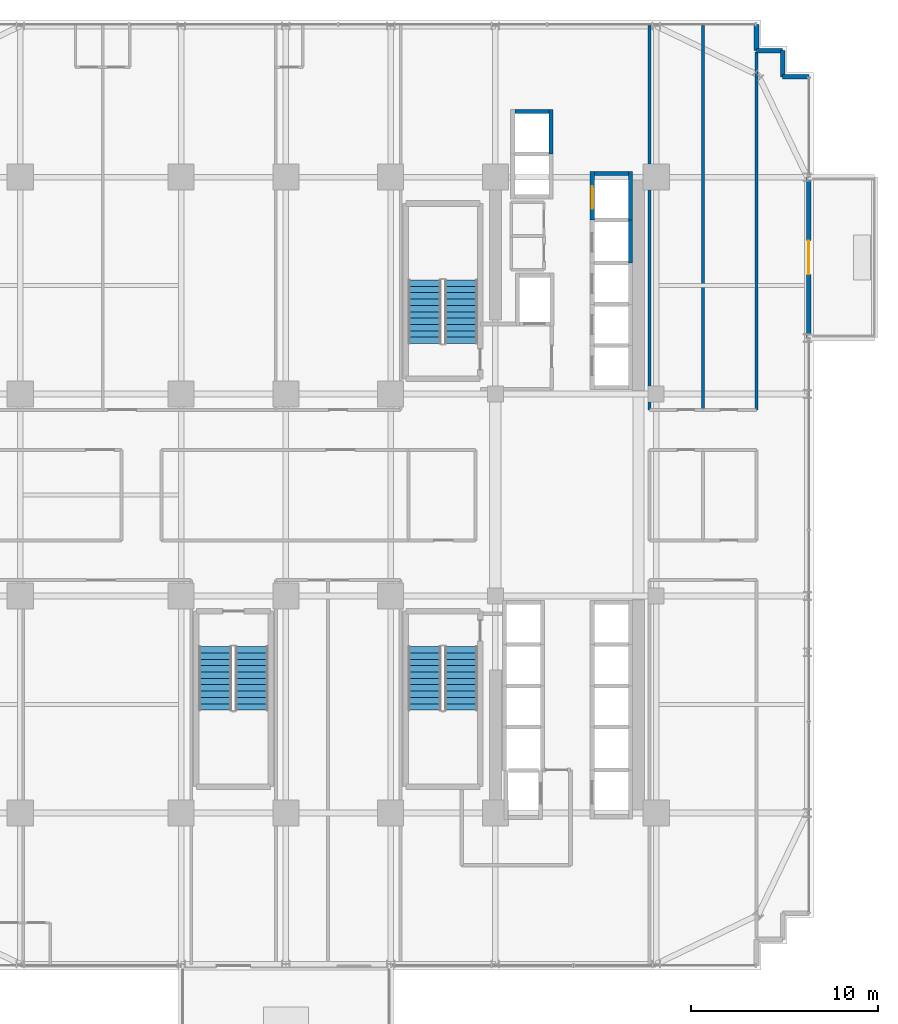
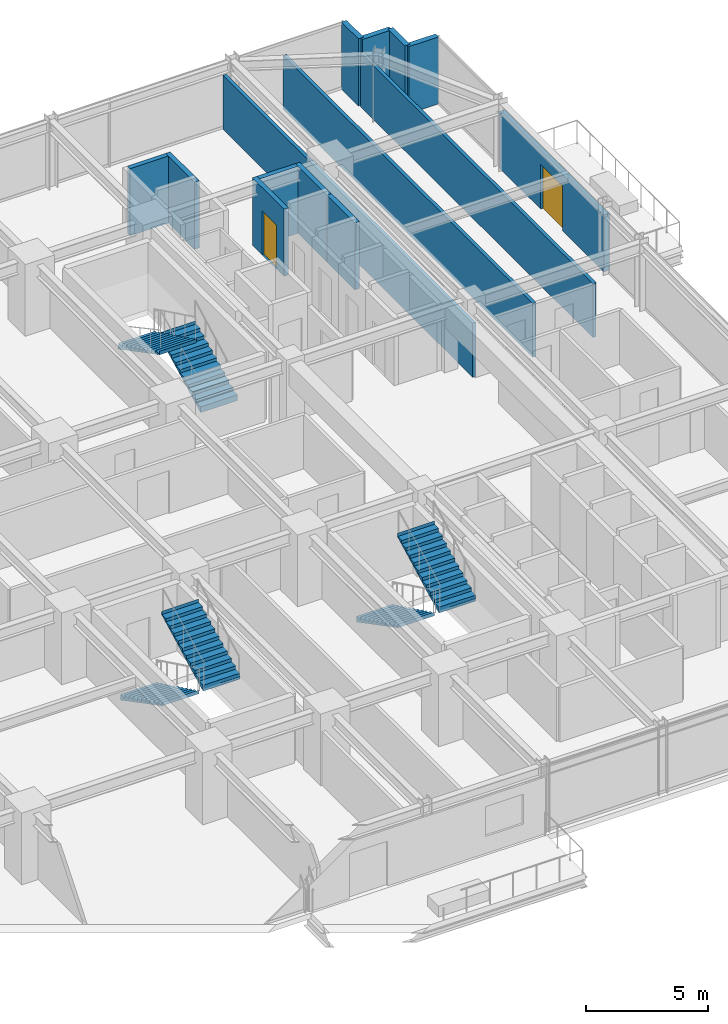
# One storey, part 33 of 36: 14 walls, 6 stair flights, 2 doors, 2 openings, 3 elements without a shape of their own.
"""IFC4 building model written with IfcOpenShell, lengths in metres."""

from ifc_helpers import new_model, si_unit, direction, frame, frame_2d, origin, place, context, subcontext, project, spatial, polyline, rectangle, outline, extrude, source, transform, mapped, material, layer, layer_set, type_object, element, fill, aggregate, save


model = new_model("IFC4")

# Units and contexts
model_context = context("Model", 3, precision=1e-05, world=origin(), true_north=direction((0.0, 1.0)))
body_context = subcontext(model_context, "Body", "Model", "MODEL_VIEW")
ifc_project = project(units=[si_unit("LENGTHUNIT", "METRE"), si_unit("AREAUNIT", "SQUARE_METRE"), si_unit("VOLUMEUNIT", "CUBIC_METRE"), si_unit("PLANEANGLEUNIT", "RADIAN"), si_unit("MASSUNIT", "GRAM", prefix="KILO")], contexts=[model_context])

# Site, building, storey
site_placement = place(None, origin())
site = spatial("IfcSite", under=ifc_project, at=site_placement, CompositionType="ELEMENT")
building_placement = place(site_placement, origin())
building = spatial("IfcBuilding", under=site, at=building_placement, Name="Nahalor Promenade Grand Hotel", CompositionType="ELEMENT")
storey_placement = place(building_placement, frame((0.0, 0.0, 72.550048828125)))
storey = spatial("IfcBuildingStorey", under=building, at=storey_placement, Name="L17", CompositionType="ELEMENT", Elevation=72.550048828125)

# Walls
ifc_material_1 = material(Name="Concrete B-50 (C40/50)", Category="concrete")
ifc_layer_1 = layer(ifc_material_1, 0.219970703125)
ifc_layer_set_1 = layer_set([ifc_layer_1], Name="Concrete B-50 (C40/50)")
wall_type_1 = type_object("IfcWallType", Name="Wall-LiftShaft-220", PredefinedType="SHEAR", material=ifc_layer_set_1)
shared_shape_1 = source(origin(), body_context, "Body", "SweptSolid", [
    extrude(rectangle(XDim=1.820068359375, YDim=0.219970703125, at=frame_2d((0.91015625, 0.0))), origin(), (0.0, 0.0, 1.0), 3.369873046875),
])
for number, where, z_axis, x_axis, name in (
    (1, (9.43994140625, 20.5, 0.0), (0.0, 0.0, 1.0), (1.0, 0.0, 0.0), "L17 Lift OB2 Hoistway Wall N"),
    (2, (13.68994140625, 17.199951171875, 0.0), (0.0, 0.0, 1.0), (1.0, 0.0, 0.0), "L17 Lift SV1 Hoistway Wall N"),
):
    element("IfcWall", number, at=place(storey_placement, frame(where, z_axis=z_axis, x_axis=x_axis)), inside=storey, type_object=wall_type_1, Name=name, PredefinedType="SHEAR", context=body_context, shape_type="MappedRepresentation", body=[
        mapped(shared_shape_1, transform((0.0, 0.0, 0.0), scale=1.0)),
    ])
shared_shape_2 = source(origin(), body_context, "Body", "SweptSolid", [
    extrude(rectangle(XDim=2.300048828125, YDim=0.219970703125, at=frame_2d((1.14990234375, 0.0))), origin(), (0.0, 0.0, 1.0), 3.369873046875),
])
wall_1_placement = place(storey_placement, frame((15.6201171875, 12.39990234375, 0.0), z_axis=(0.0, 0.0, 1.0), x_axis=(0.0, 1.0, 0.0)))
element("IfcWall", 3, at=wall_1_placement, inside=storey, type_object=wall_type_1, Name="L17 Lift PL4 Hoistway Wall E", PredefinedType="SHEAR", context=body_context, shape_type="MappedRepresentation", body=[
    mapped(shared_shape_2, transform((0.0, 0.0, 0.0), scale=1.0)),
])
shared_shape_3 = source(origin(), body_context, "Body", "SweptSolid", [
    extrude(rectangle(XDim=2.385009765625, YDim=0.219970703125, at=frame_2d((1.1923828125, 0.0))), origin(), (0.0, 0.0, 1.0), 3.369873046875),
])
wall_2_placement = place(storey_placement, frame((11.3701171875, 18.22509765625, 0.0), z_axis=(0.0, 0.0, 1.0), x_axis=(0.0, 1.0, 0.0)))
element("IfcWall", 4, at=wall_2_placement, inside=storey, type_object=wall_type_1, Name="L17 Lift OB2 Hoistway Wall E", PredefinedType="SHEAR", context=body_context, shape_type="MappedRepresentation", body=[
    mapped(shared_shape_3, transform((0.0, 0.0, 0.0), scale=1.0)),
])

# Wall, opening, door
shared_shape_4 = source(origin(), body_context, "Body", "SweptSolid", [
    extrude(rectangle(XDim=2.610107421875, YDim=0.219970703125, at=frame_2d((1.30517578125, 0.0))), origin(), (0.0, 0.0, 1.0), 3.369873046875),
])
wall_3_placement = place(storey_placement, frame((13.580078125, 14.699951171875, 0.0), z_axis=(0.0, 0.0, 1.0), x_axis=(0.0, 1.0, 0.0)))
wall_3 = element("IfcWall", 5, at=wall_3_placement, inside=storey, type_object=wall_type_1, Name="L17 Lift SV1 Hoistway Wall W", PredefinedType="SHEAR", context=body_context, shape_type="MappedRepresentation", body=[
    mapped(shared_shape_4, transform((0.0, 0.0, 0.0), scale=1.0)),
])
opening_1_placement = place(wall_3_placement, frame((0.60009765625, 0.0, 0.0)))
opening_1 = element("IfcOpeningElement", 6, at=opening_1_placement, cuts=wall_3, Name="Opening LD-03", PredefinedType="OPENING", context=body_context, shape_type="SweptSolid", body=[
    extrude(rectangle(XDim=1.199951171875, YDim=2.199951171875, at=frame_2d((0.60009765625, 1.10009765625))), frame((0.0, 0.119873046875, 0.0), z_axis=(0.0, -1.0, 0.0), x_axis=(1.0, 0.0, 0.0)), (0.0, 0.0, 1.0), 0.239990234375),
])
ifc_material_2 = material(Name="Steel S355JR", Category="steel")
door_type_1 = type_object("IfcDoorType", Name="Door-LiftService-1200", OperationType="DOUBLE_DOOR_SLIDING", PredefinedType="DOOR", material=ifc_material_2)
shared_shape_5 = source(origin(), body_context, "Body", "SweptSolid", [
    extrude(rectangle(XDim=1.199951171875, YDim=2.199951171875, at=frame_2d((0.60009765625, 1.10009765625))), frame((0.0, 0.02490234375, 0.0), z_axis=(0.0, -1.0, 0.0), x_axis=(1.0, 0.0, 0.0)), (0.0, 0.0, 1.0), 0.050048828125),
])
door_1_placement = place(opening_1_placement, origin())
door_1 = element("IfcDoor", 7, at=door_1_placement, inside=storey, type_object=door_type_1, Name="DR-LIFT-SV1-L17", OperationType="DOUBLE_DOOR_SLIDING", OverallHeight=2.199951171875, OverallWidth=1.199951171875, PredefinedType="DOOR", context=body_context, shape_type="MappedRepresentation", body=[
    mapped(shared_shape_5, transform((0.0, 0.0, 0.0), scale=1.0)),
])
fill(opening_1, door_1)

# Walls
wall_4_placement = place(storey_placement, frame((15.6201171875, 14.699951171875, 0.0), z_axis=(0.0, 0.0, 1.0), x_axis=(0.0, 1.0, 0.0)))
element("IfcWall", 8, at=wall_4_placement, inside=storey, type_object=wall_type_1, Name="L17 Lift SV1 Hoistway Wall E", PredefinedType="SHEAR", context=body_context, shape_type="MappedRepresentation", body=[
    mapped(shared_shape_4, transform((0.0, 0.0, 0.0), scale=1.0)),
])
ifc_material_3 = material(Name="Concrete B-40 (C32/40)", Category="concrete")
ifc_layer_2 = layer(ifc_material_3, 0.25)
ifc_layer_set_2 = layer_set([ifc_layer_2], Name="Concrete B-40 (C32/40)")
wall_type_2 = type_object("IfcWallType", Name="Wall-BronzePier-250", PredefinedType="STANDARD", material=ifc_layer_set_2)
shared_shape_6 = source(origin(), body_context, "Body", "SweptSolid", [
    extrude(rectangle(XDim=1.39990234375, YDim=0.25, at=frame_2d((0.699951171875, 0.0))), origin(), (0.0, 0.0, 1.0), 3.369873046875),
])
for number, where, z_axis, x_axis, name in (
    (9, (23.760009765625, 22.360107421875, 0.0), (0.0, 0.0, 1.0), (1.0, 0.0, 0.0), "W-L17-SR-05"),
    (10, (23.760009765625, 22.360107421875, 0.0), (0.0, 0.0, 1.0), (0.0, 1.0, 0.0), "W-L17-SR-06"),
    (11, (22.360107421875, 23.760009765625, 0.0), (0.0, 0.0, 1.0), (1.0, 0.0, 0.0), "W-L17-SR-07"),
    (12, (22.360107421875, 23.760009765625, 0.0), (0.0, 0.0, 1.0), (0.0, 1.0, 0.0), "W-L17-SR-08"),
):
    element("IfcWall", number, at=place(storey_placement, frame(where, z_axis=z_axis, x_axis=x_axis)), inside=storey, type_object=wall_type_2, Name=name, PredefinedType="STANDARD", context=body_context, shape_type="MappedRepresentation", body=[
        mapped(shared_shape_6, transform((0.0, 0.0, 0.0), scale=1.0)),
    ])

# Wall, opening, door
ifc_layer_3 = layer(ifc_material_3, 0.260009765625)
ifc_layer_set_3 = layer_set([ifc_layer_3], Name="Concrete B-40 (C32/40)")
wall_type_3 = type_object("IfcWallType", Name="Wall-BalconyWall-260", PredefinedType="STANDARD", material=ifc_layer_set_3)
shared_shape_7 = source(origin(), body_context, "Body", "SweptSolid", [
    extrude(rectangle(XDim=8.60009765625, YDim=0.260009765625, at=frame_2d((4.300048828125, 0.0))), origin(), (0.0, 0.0, 1.0), 2.849853515625),
])
wall_5_placement = place(storey_placement, frame((25.159912109375, 8.39990234375, 0.0), z_axis=(0.0, 0.0, 1.0), x_axis=(0.0, 1.0, 0.0)))
wall_5 = element("IfcWall", 13, at=wall_5_placement, inside=storey, type_object=wall_type_3, Name="W-L17-BALC-E-2", PredefinedType="STANDARD", context=body_context, shape_type="MappedRepresentation", body=[
    mapped(shared_shape_7, transform((0.0, 0.0, 0.0), scale=1.0)),
])
opening_2_placement = place(wall_5_placement, frame((3.39990234375, 0.0, 0.0)))
opening_2 = element("IfcOpeningElement", 14, at=opening_2_placement, cuts=wall_5, Name="Opening D-BC1", PredefinedType="OPENING", context=body_context, shape_type="SweptSolid", body=[
    extrude(rectangle(XDim=1.800048828125, YDim=2.25, at=frame_2d((0.89990234375, 1.125))), frame((0.0, 0.139892578125, 0.0), z_axis=(0.0, -1.0, 0.0), x_axis=(1.0, 0.0, 0.0)), (0.0, 0.0, 1.0), 0.280029296875),
])
ifc_material_4 = material(Name="Anodised Bronze Aluminium EN AW-6063 T6", Category="aluminium")
door_type_2 = type_object("IfcDoorType", Name="Door-BalconySlide-1800", OperationType="DOUBLE_DOOR_SLIDING", PredefinedType="DOOR", material=ifc_material_4)
shared_shape_8 = source(origin(), body_context, "Body", "SweptSolid", [
    extrude(rectangle(XDim=1.800048828125, YDim=2.25, at=frame_2d((0.89990234375, 1.125))), frame((0.0, 0.02490234375, 0.0), z_axis=(0.0, -1.0, 0.0), x_axis=(1.0, 0.0, 0.0)), (0.0, 0.0, 1.0), 0.050048828125),
])
door_2_placement = place(opening_2_placement, frame((1.800048828125, 0.0, 0.0), z_axis=(0.0, 0.0, 1.0), x_axis=(-1.0, 0.0, 0.0)))
door_2 = element("IfcDoor", 15, at=door_2_placement, inside=storey, type_object=door_type_2, Name="DR-L17-BALC-E-2", OperationType="DOUBLE_DOOR_SLIDING", OverallHeight=2.25, OverallWidth=1.800048828125, PredefinedType="DOOR", context=body_context, shape_type="MappedRepresentation", body=[
    mapped(shared_shape_8, transform((0.0, 0.0, 0.0), scale=1.0)),
])
fill(opening_2, door_2)

# Walls
ifc_material_5 = material(Name="Acoustic Mineral Gypsum", Category="gypsum")
ifc_layer_4 = layer(ifc_material_5, 0.159912109375)
ifc_layer_set_4 = layer_set([ifc_layer_4], Name="Acoustic Mineral Gypsum")
wall_type_4 = type_object("IfcWallType", Name="Wall-PartCorridor-160", PredefinedType="PARTITIONING", material=ifc_layer_set_4)
shared_shape_9 = source(origin(), body_context, "Body", "SweptSolid", [
    extrude(rectangle(XDim=20.550048828125, YDim=0.159912109375, at=frame_2d((10.27490234375, 0.0))), origin(), (0.0, 0.0, 1.0), 2.7099609375),
])
for number, where, z_axis, x_axis, name in (
    (16, (16.64990234375, 4.550048828125, 0.0), (0.0, 0.0, 1.0), (0.0, 1.0, 0.0), "W-L17-ENE1-W"),
    (17, (19.5048828125, 4.550048828125, 0.0), (0.0, 0.0, 1.0), (0.0, 1.0, 0.0), "W-L17-ENE1-E"),
):
    element("IfcWall", number, at=place(storey_placement, frame(where, z_axis=z_axis, x_axis=x_axis)), inside=storey, type_object=wall_type_4, Name=name, PredefinedType="PARTITIONING", context=body_context, shape_type="MappedRepresentation", body=[
        mapped(shared_shape_9, transform((0.0, 0.0, 0.0), scale=1.0)),
    ])
shared_shape_10 = source(origin(), body_context, "Body", "SweptSolid", [
    extrude(rectangle(XDim=19.1298828125, YDim=0.159912109375, at=frame_2d((9.56494140625, 0.0))), origin(), (0.0, 0.0, 1.0), 2.7099609375),
])
wall_6_placement = place(storey_placement, frame((22.360107421875, 4.550048828125, 0.0), z_axis=(0.0, 0.0, 1.0), x_axis=(0.0, 1.0, 0.0)))
element("IfcWall", 18, at=wall_6_placement, inside=storey, type_object=wall_type_4, Name="W-L17-ENE2-E", PredefinedType="PARTITIONING", context=body_context, shape_type="MappedRepresentation", body=[
    mapped(shared_shape_10, transform((0.0, 0.0, 0.0), scale=1.0)),
])

# Stair, stair flights
stair_type_1 = type_object("IfcStairType", Name="Stair-ST1", PredefinedType="HALF_TURN_STAIR", material=ifc_material_1)
stair_1_placement = place(storey_placement, origin())
stair_1 = element("IfcStair", 19, at=stair_1_placement, inside=storey, type_object=stair_type_1, Name="L17 ST1", PredefinedType="HALF_TURN_STAIR")
ifc_layer_5 = layer(ifc_material_1, 0.179931640625)
ifc_layer_set_5 = layer_set([ifc_layer_5], Name="Concrete B-50 (C40/50)")
stair_flight_type_1 = type_object("IfcStairFlightType", Name="Flight-ST1", PredefinedType="STRAIGHT", material=ifc_layer_set_5)
shared_shape_11 = source(origin(), body_context, "Body", "SweptSolid", [
    extrude(outline(polyline([(-0.00390625, -0.1201171875), (-0.00390625, 0.0), (0.0, 0.0), (0.0, 0.166015625), (0.340087890625, 0.166015625), (0.340087890625, 0.331787109375), (0.679931640625, 0.331787109375), (0.679931640625, 0.497802734375), (1.02001953125, 0.497802734375), (1.02001953125, 0.66357421875), (1.360107421875, 0.66357421875), (1.360107421875, 0.82958984375), (1.699951171875, 0.82958984375), (1.699951171875, 0.995361328125), (2.0400390625, 0.995361328125), (2.0400390625, 1.161376953125), (2.3798828125, 1.161376953125), (2.3798828125, 1.327392578125), (2.719970703125, 1.327392578125), (2.719970703125, 1.4931640625), (3.06005859375, 1.4931640625), (3.06005859375, 1.6591796875), (3.39990234375, 1.6591796875), (3.39990234375, 1.824951171875), (3.404052734375, 1.824951171875), (3.404052734375, 1.64501953125), (0.02001953125, -0.1201171875), (-0.00390625, -0.1201171875)])), frame((0.0, 0.875, 0.0), z_axis=(0.0, -1.0, 0.0), x_axis=(1.0, 0.0, 0.0)), (0.0, 0.0, 1.0), 1.75),
])
stair_flight_1_placement = place(storey_placement, frame((6.574951171875, 8.10009765625, 0.0), z_axis=(0.0, 0.0, 1.0), x_axis=(0.0, 1.0, 0.0)))
stair_flight_1 = element("IfcStairFlight", 20, at=stair_flight_1_placement, type_object=stair_flight_type_1, Name="ST1 flight 1", NumberOfRisers=11, NumberOfTreads=10, PredefinedType="STRAIGHT", RiserHeight=0.165909091, TreadLength=0.34, context=body_context, shape_type="MappedRepresentation", body=[
    mapped(shared_shape_11, transform((0.0, 0.0, 0.0), scale=1.0)),
])
stair_flight_2_placement = place(storey_placement, frame((4.625, 11.5, 1.824951171875), z_axis=(0.0, 0.0, 1.0), x_axis=(0.0, -1.0, 0.0)))
stair_flight_2 = element("IfcStairFlight", 21, at=stair_flight_2_placement, type_object=stair_flight_type_1, Name="ST1 flight 2", NumberOfRisers=11, NumberOfTreads=10, PredefinedType="STRAIGHT", RiserHeight=0.165909091, TreadLength=0.34, context=body_context, shape_type="MappedRepresentation", body=[
    mapped(shared_shape_11, transform((0.0, 0.0, 0.0), scale=1.0)),
])
aggregate(stair_1, [stair_flight_1, stair_flight_2])

stair_type_2 = type_object("IfcStairType", Name="Stair-ST2", PredefinedType="HALF_TURN_STAIR", material=ifc_material_1)
stair_2_placement = place(storey_placement, origin())
stair_2 = element("IfcStair", 22, at=stair_2_placement, inside=storey, type_object=stair_type_2, Name="L17 ST2", PredefinedType="HALF_TURN_STAIR")
ifc_layer_6 = layer(ifc_material_1, 0.18994140625)
ifc_layer_set_6 = layer_set([ifc_layer_6], Name="Concrete B-50 (C40/50)")
stair_flight_type_2 = type_object("IfcStairFlightType", Name="Flight-ST2", PredefinedType="STRAIGHT", material=ifc_layer_set_6)
shared_shape_12 = source(origin(), body_context, "Body", "SweptSolid", [
    extrude(outline(polyline([(-0.00390625, -0.1201171875), (-0.00390625, 0.0), (0.0, 0.0), (0.0, 0.166015625), (0.340087890625, 0.166015625), (0.340087890625, 0.331787109375), (0.679931640625, 0.331787109375), (0.679931640625, 0.497802734375), (1.02001953125, 0.497802734375), (1.02001953125, 0.66357421875), (1.360107421875, 0.66357421875), (1.360107421875, 0.82958984375), (1.699951171875, 0.82958984375), (1.699951171875, 0.995361328125), (2.0400390625, 0.995361328125), (2.0400390625, 1.161376953125), (2.3798828125, 1.161376953125), (2.3798828125, 1.327392578125), (2.719970703125, 1.327392578125), (2.719970703125, 1.4931640625), (3.06005859375, 1.4931640625), (3.06005859375, 1.6591796875), (3.39990234375, 1.6591796875), (3.39990234375, 1.824951171875), (3.404052734375, 1.824951171875), (3.404052734375, 1.64501953125), (0.02001953125, -0.1201171875), (-0.00390625, -0.1201171875)])), frame((0.0, 0.875, 0.0), z_axis=(0.0, -1.0, 0.0), x_axis=(1.0, 0.0, 0.0)), (0.0, 0.0, 1.0), 1.75),
])
stair_flight_3_placement = place(storey_placement, frame((4.625, -8.10009765625, 0.0), z_axis=(0.0, 0.0, 1.0), x_axis=(0.0, -1.0, 0.0)))
stair_flight_3 = element("IfcStairFlight", 23, at=stair_flight_3_placement, type_object=stair_flight_type_2, Name="ST2 flight 1", NumberOfRisers=11, NumberOfTreads=10, PredefinedType="STRAIGHT", RiserHeight=0.165909091, TreadLength=0.34, context=body_context, shape_type="MappedRepresentation", body=[
    mapped(shared_shape_12, transform((0.0, 0.0, 0.0), scale=1.0)),
])
stair_flight_4_placement = place(storey_placement, frame((6.574951171875, -11.5, 1.824951171875), z_axis=(0.0, 0.0, 1.0), x_axis=(0.0, 1.0, 0.0)))
stair_flight_4 = element("IfcStairFlight", 24, at=stair_flight_4_placement, type_object=stair_flight_type_2, Name="ST2 flight 2", NumberOfRisers=11, NumberOfTreads=10, PredefinedType="STRAIGHT", RiserHeight=0.165909091, TreadLength=0.34, context=body_context, shape_type="MappedRepresentation", body=[
    mapped(shared_shape_12, transform((0.0, 0.0, 0.0), scale=1.0)),
])
aggregate(stair_2, [stair_flight_3, stair_flight_4])

stair_type_3 = type_object("IfcStairType", Name="Stair-ST3", PredefinedType="HALF_TURN_STAIR", material=ifc_material_1)
stair_3_placement = place(storey_placement, origin())
stair_3 = element("IfcStair", 25, at=stair_3_placement, inside=storey, type_object=stair_type_3, Name="L17 ST3", PredefinedType="HALF_TURN_STAIR")
ifc_layer_7 = layer(ifc_material_1, 0.199951171875)
ifc_layer_set_7 = layer_set([ifc_layer_7], Name="Concrete B-50 (C40/50)")
stair_flight_type_3 = type_object("IfcStairFlightType", Name="Flight-ST3", PredefinedType="STRAIGHT", material=ifc_layer_set_7)
shared_shape_13 = source(origin(), body_context, "Body", "SweptSolid", [
    extrude(outline(polyline([(-0.00390625, -0.1201171875), (-0.00390625, 0.0), (0.0, 0.0), (0.0, 0.166015625), (0.340087890625, 0.166015625), (0.340087890625, 0.331787109375), (0.679931640625, 0.331787109375), (0.679931640625, 0.497802734375), (1.02001953125, 0.497802734375), (1.02001953125, 0.66357421875), (1.360107421875, 0.66357421875), (1.360107421875, 0.82958984375), (1.699951171875, 0.82958984375), (1.699951171875, 0.995361328125), (2.0400390625, 0.995361328125), (2.0400390625, 1.161376953125), (2.3798828125, 1.161376953125), (2.3798828125, 1.327392578125), (2.719970703125, 1.327392578125), (2.719970703125, 1.4931640625), (3.06005859375, 1.4931640625), (3.06005859375, 1.6591796875), (3.39990234375, 1.6591796875), (3.39990234375, 1.824951171875), (3.404052734375, 1.824951171875), (3.404052734375, 1.64501953125), (0.02001953125, -0.1201171875), (-0.00390625, -0.1201171875)])), frame((0.0, 0.875, 0.0), z_axis=(0.0, -1.0, 0.0), x_axis=(1.0, 0.0, 0.0)), (0.0, 0.0, 1.0), 1.75),
])
stair_flight_5_placement = place(storey_placement, frame((-6.574951171875, -8.10009765625, 0.0), z_axis=(0.0, 0.0, 1.0), x_axis=(0.0, -1.0, 0.0)))
stair_flight_5 = element("IfcStairFlight", 26, at=stair_flight_5_placement, type_object=stair_flight_type_3, Name="ST3 flight 1", NumberOfRisers=11, NumberOfTreads=10, PredefinedType="STRAIGHT", RiserHeight=0.165909091, TreadLength=0.34, context=body_context, shape_type="MappedRepresentation", body=[
    mapped(shared_shape_13, transform((0.0, 0.0, 0.0), scale=1.0)),
])
stair_flight_6_placement = place(storey_placement, frame((-4.625, -11.5, 1.824951171875), z_axis=(0.0, 0.0, 1.0), x_axis=(0.0, 1.0, 0.0)))
stair_flight_6 = element("IfcStairFlight", 27, at=stair_flight_6_placement, type_object=stair_flight_type_3, Name="ST3 flight 2", NumberOfRisers=11, NumberOfTreads=10, PredefinedType="STRAIGHT", RiserHeight=0.165909091, TreadLength=0.34, context=body_context, shape_type="MappedRepresentation", body=[
    mapped(shared_shape_13, transform((0.0, 0.0, 0.0), scale=1.0)),
])
aggregate(stair_3, [stair_flight_5, stair_flight_6])

save(model, "model.ifc")
